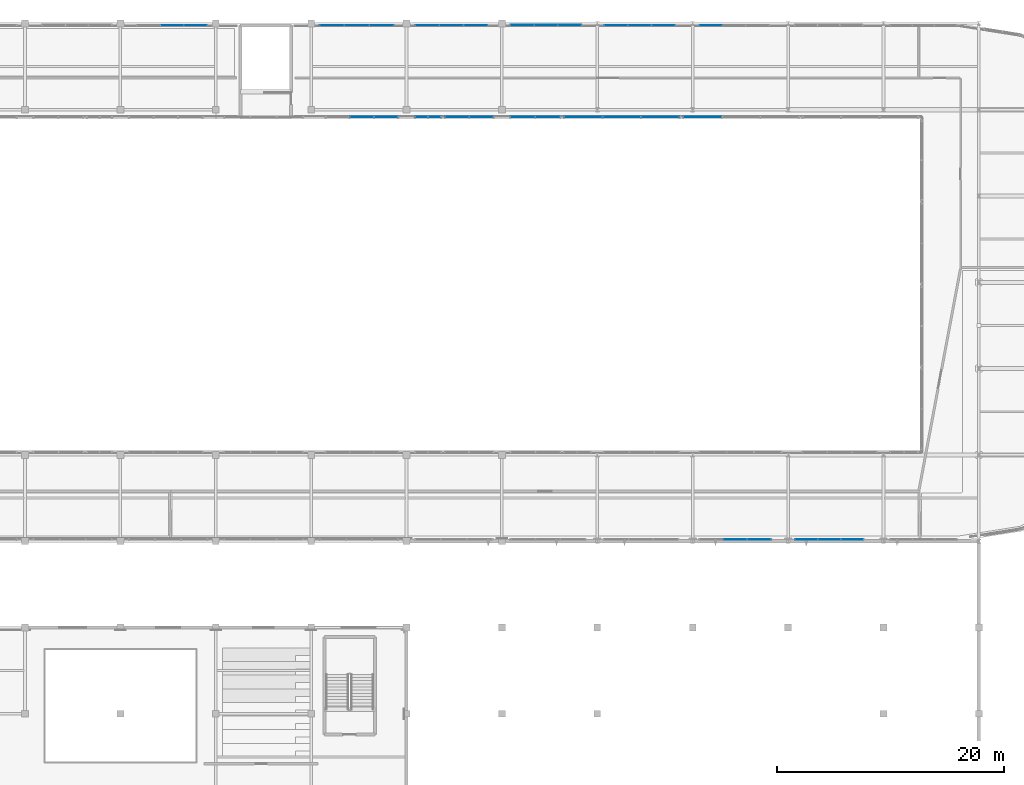
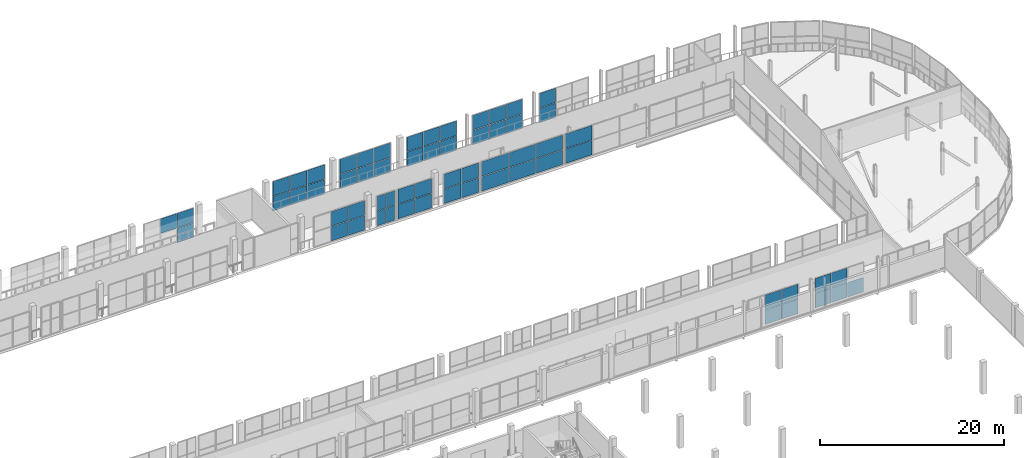
# One storey, part 119 of 151: 62 plates, 14 elements without a shape of their own.
"""IFC4 building model written with IfcOpenShell, lengths in metres."""

from ifc_helpers import new_model, si_unit, direction, frame, origin, origin_2d, place, context, subcontext, project, spatial, rectangle, extrude, material, layer, layer_set, type_object, element, aggregate, save


model = new_model("IFC4")

# Units and contexts
model_context = context("Model", 3, precision=1e-05, world=origin(), true_north=direction((0.0, 1.0)))
body_context = subcontext(model_context, "Body", "Model", "MODEL_VIEW")
ifc_project = project(units=[si_unit("LENGTHUNIT", "METRE"), si_unit("AREAUNIT", "SQUARE_METRE"), si_unit("VOLUMEUNIT", "CUBIC_METRE"), si_unit("PLANEANGLEUNIT", "RADIAN"), si_unit("MASSUNIT", "GRAM", prefix="KILO")], contexts=[model_context])

# Site, building, storey
site_placement = place(None, origin())
site = spatial("IfcSite", under=ifc_project, at=site_placement, CompositionType="ELEMENT")
building_placement = place(site_placement, origin())
building = spatial("IfcBuilding", under=site, at=building_placement, Name="Zuvorla Pavilion Media Centre", CompositionType="ELEMENT")
storey_placement = place(building_placement, frame((0.0, 0.0, 13.800048828125)))
storey = spatial("IfcBuildingStorey", under=building, at=storey_placement, Name="L03", CompositionType="ELEMENT", Elevation=13.800048828125)

# Curtain wall, plates
ifc_material_1 = material(Name="Unitised anodised aluminium and solar glass curtain wall", Category="aluminium")
curtain_wall_type_1 = type_object("IfcCurtainWallType", Name="CW-SYS-61", PredefinedType="USERDEFINED", material=ifc_material_1)
curtain_wall_1_placement = place(storey_placement, origin())
curtain_wall_1 = element("IfcCurtainWall", 1, at=curtain_wall_1_placement, inside=storey, type_object=curtain_wall_type_1, Name="L03 curtain wall CW61 108", ObjectType="CURTAIN WALL", PredefinedType="USERDEFINED")
ifc_material_2 = material(Name="Solar control double glazing", Category="glass")
ifc_layer_1 = layer(ifc_material_2, 0.028076171875)
ifc_layer_set_1 = layer_set([ifc_layer_1], Name="Solar control double glazing")
plate_type_1 = type_object("IfcPlateType", Name="CW-PNL-28", PredefinedType="CURTAIN_PANEL", material=ifc_layer_set_1)
plate_1_placement = place(storey_placement, frame((135.60595703125, 89.43994140625, 0.030029296875), z_axis=(0.0, 0.0, 1.0), x_axis=(-1.0, 0.0, 0.0)))
plate_1 = element("IfcPlate", 2, at=plate_1_placement, type_object=plate_type_1, Name="CW61 panel 3.1", PredefinedType="CURTAIN_PANEL", context=body_context, shape_type="SweptSolid", body=[
    extrude(rectangle(XDim=1.988037109375, YDim=0.028076171875, at=origin_2d()), origin(), (0.0, 0.0, 1.0), 1.919921875),
])
plate_2_placement = place(storey_placement, frame((135.60595703125, 89.43994140625, 2.010009765625), z_axis=(0.0, 0.0, 1.0), x_axis=(-1.0, 0.0, 0.0)))
plate_2 = element("IfcPlate", 3, at=plate_2_placement, type_object=plate_type_1, Name="CW61 panel 3.2", PredefinedType="CURTAIN_PANEL", context=body_context, shape_type="SweptSolid", body=[
    extrude(rectangle(XDim=1.988037109375, YDim=0.028076171875, at=origin_2d()), origin(), (0.0, 0.0, 1.0), 1.919921875),
])
aggregate(curtain_wall_1, [plate_1, plate_2])

curtain_wall_type_2 = type_object("IfcCurtainWallType", Name="CW-SYS-46", PredefinedType="USERDEFINED", material=ifc_material_1)
curtain_wall_2_placement = place(storey_placement, origin())
curtain_wall_2 = element("IfcCurtainWall", 4, at=curtain_wall_2_placement, inside=storey, type_object=curtain_wall_type_2, Name="L03 curtain wall CW46 111", ObjectType="CURTAIN WALL", PredefinedType="USERDEFINED")
plate_3_placement = place(storey_placement, frame((114.885986328125, 89.43994140625, 0.030029296875), z_axis=(0.0, 0.0, 1.0), x_axis=(-1.0, 0.0, 0.0)))
plate_3 = element("IfcPlate", 5, at=plate_3_placement, type_object=plate_type_1, Name="CW46 panel 1.1", PredefinedType="CURTAIN_PANEL", context=body_context, shape_type="SweptSolid", body=[
    extrude(rectangle(XDim=2.07666015625, YDim=0.028076171875, at=origin_2d()), origin(), (0.0, 0.0, 1.0), 1.919921875),
])
plate_4_placement = place(storey_placement, frame((114.885986328125, 89.43994140625, 2.010009765625), z_axis=(0.0, 0.0, 1.0), x_axis=(-1.0, 0.0, 0.0)))
plate_4 = element("IfcPlate", 6, at=plate_4_placement, type_object=plate_type_1, Name="CW46 panel 1.2", PredefinedType="CURTAIN_PANEL", context=body_context, shape_type="SweptSolid", body=[
    extrude(rectangle(XDim=2.07666015625, YDim=0.028076171875, at=origin_2d()), origin(), (0.0, 0.0, 1.0), 1.919921875),
])
plate_5_placement = place(storey_placement, frame((112.749267578125, 89.43994140625, 0.030029296875), z_axis=(0.0, 0.0, 1.0), x_axis=(-1.0, 0.0, 0.0)))
plate_5 = element("IfcPlate", 7, at=plate_5_placement, type_object=plate_type_1, Name="CW46 panel 2.1", PredefinedType="CURTAIN_PANEL", context=body_context, shape_type="SweptSolid", body=[
    extrude(rectangle(XDim=2.07666015625, YDim=0.028076171875, at=origin_2d()), origin(), (0.0, 0.0, 1.0), 1.919921875),
])
plate_6_placement = place(storey_placement, frame((112.749267578125, 89.43994140625, 2.010009765625), z_axis=(0.0, 0.0, 1.0), x_axis=(-1.0, 0.0, 0.0)))
plate_6 = element("IfcPlate", 8, at=plate_6_placement, type_object=plate_type_1, Name="CW46 panel 2.2", PredefinedType="CURTAIN_PANEL", context=body_context, shape_type="SweptSolid", body=[
    extrude(rectangle(XDim=2.07666015625, YDim=0.028076171875, at=origin_2d()), origin(), (0.0, 0.0, 1.0), 1.919921875),
])
plate_7_placement = place(storey_placement, frame((110.612548828125, 89.43994140625, 0.030029296875), z_axis=(0.0, 0.0, 1.0), x_axis=(-1.0, 0.0, 0.0)))
plate_7 = element("IfcPlate", 9, at=plate_7_placement, type_object=plate_type_1, Name="CW46 panel 3.1", PredefinedType="CURTAIN_PANEL", context=body_context, shape_type="SweptSolid", body=[
    extrude(rectangle(XDim=2.07666015625, YDim=0.028076171875, at=origin_2d()), origin(), (0.0, 0.0, 1.0), 1.919921875),
])
plate_8_placement = place(storey_placement, frame((110.612548828125, 89.43994140625, 2.010009765625), z_axis=(0.0, 0.0, 1.0), x_axis=(-1.0, 0.0, 0.0)))
plate_8 = element("IfcPlate", 10, at=plate_8_placement, type_object=plate_type_1, Name="CW46 panel 3.2", PredefinedType="CURTAIN_PANEL", context=body_context, shape_type="SweptSolid", body=[
    extrude(rectangle(XDim=2.07666015625, YDim=0.028076171875, at=origin_2d()), origin(), (0.0, 0.0, 1.0), 1.919921875),
])
aggregate(curtain_wall_2, [plate_3, plate_4, plate_5, plate_6, plate_7, plate_8])

curtain_wall_type_3 = type_object("IfcCurtainWallType", Name="CW-SYS-14", PredefinedType="USERDEFINED", material=ifc_material_1)
curtain_wall_3_placement = place(storey_placement, origin())
curtain_wall_3 = element("IfcCurtainWall", 11, at=curtain_wall_3_placement, inside=storey, type_object=curtain_wall_type_3, Name="L03 curtain wall CW14 146", ObjectType="CURTAIN WALL", PredefinedType="USERDEFINED")
plate_9_placement = place(storey_placement, frame((143.995849609375, 44.159912109375, 0.030029296875), z_axis=(0.0, 0.0, 1.0), x_axis=(1.0, 0.0, 0.0)))
plate_9 = element("IfcPlate", 12, at=plate_9_placement, type_object=plate_type_1, Name="CW14 panel 1.1", PredefinedType="CURTAIN_PANEL", context=body_context, shape_type="SweptSolid", body=[
    extrude(rectangle(XDim=1.9677734375, YDim=0.028076171875, at=origin_2d()), origin(), (0.0, 0.0, 1.0), 1.919921875),
])
plate_10_placement = place(storey_placement, frame((143.995849609375, 44.159912109375, 2.010009765625), z_axis=(0.0, 0.0, 1.0), x_axis=(1.0, 0.0, 0.0)))
plate_10 = element("IfcPlate", 13, at=plate_10_placement, type_object=plate_type_1, Name="CW14 panel 1.2", PredefinedType="CURTAIN_PANEL", context=body_context, shape_type="SweptSolid", body=[
    extrude(rectangle(XDim=1.9677734375, YDim=0.028076171875, at=origin_2d()), origin(), (0.0, 0.0, 1.0), 1.919921875),
])
plate_11_placement = place(storey_placement, frame((146.0234375, 44.159912109375, 0.030029296875), z_axis=(0.0, 0.0, 1.0), x_axis=(1.0, 0.0, 0.0)))
plate_11 = element("IfcPlate", 14, at=plate_11_placement, type_object=plate_type_1, Name="CW14 panel 2.1", PredefinedType="CURTAIN_PANEL", context=body_context, shape_type="SweptSolid", body=[
    extrude(rectangle(XDim=1.9677734375, YDim=0.028076171875, at=origin_2d()), origin(), (0.0, 0.0, 1.0), 1.919921875),
])
plate_12_placement = place(storey_placement, frame((146.0234375, 44.159912109375, 2.010009765625), z_axis=(0.0, 0.0, 1.0), x_axis=(1.0, 0.0, 0.0)))
plate_12 = element("IfcPlate", 15, at=plate_12_placement, type_object=plate_type_1, Name="CW14 panel 2.2", PredefinedType="CURTAIN_PANEL", context=body_context, shape_type="SweptSolid", body=[
    extrude(rectangle(XDim=1.9677734375, YDim=0.028076171875, at=origin_2d()), origin(), (0.0, 0.0, 1.0), 1.919921875),
])
plate_13_placement = place(storey_placement, frame((148.05126953125, 44.159912109375, 0.030029296875), z_axis=(0.0, 0.0, 1.0), x_axis=(1.0, 0.0, 0.0)))
plate_13 = element("IfcPlate", 16, at=plate_13_placement, type_object=plate_type_1, Name="CW14 panel 3.1", PredefinedType="CURTAIN_PANEL", context=body_context, shape_type="SweptSolid", body=[
    extrude(rectangle(XDim=1.9677734375, YDim=0.028076171875, at=origin_2d()), origin(), (0.0, 0.0, 1.0), 1.919921875),
])
aggregate(curtain_wall_3, [plate_9, plate_10, plate_11, plate_12, plate_13])

curtain_wall_type_4 = type_object("IfcCurtainWallType", Name="CW-SYS-83", PredefinedType="USERDEFINED", material=ifc_material_1)
curtain_wall_4_placement = place(storey_placement, origin())
curtain_wall_4 = element("IfcCurtainWall", 17, at=curtain_wall_4_placement, inside=storey, type_object=curtain_wall_type_4, Name="L03 curtain wall CW83 176", ObjectType="CURTAIN WALL", PredefinedType="USERDEFINED")
plate_14_placement = place(storey_placement, frame((121.240966796875, 81.360107421875, 0.030029296875), z_axis=(0.0, 0.0, 1.0), x_axis=(-1.0, 0.0, 0.0)))
plate_14 = element("IfcPlate", 18, at=plate_14_placement, type_object=plate_type_1, Name="CW83 panel 1.1", PredefinedType="CURTAIN_PANEL", context=body_context, shape_type="SweptSolid", body=[
    extrude(rectangle(XDim=2.137939453125, YDim=0.028076171875, at=origin_2d()), origin(), (0.0, 0.0, 1.0), 1.919921875),
])
plate_15_placement = place(storey_placement, frame((121.240966796875, 81.360107421875, 2.010009765625), z_axis=(0.0, 0.0, 1.0), x_axis=(-1.0, 0.0, 0.0)))
plate_15 = element("IfcPlate", 19, at=plate_15_placement, type_object=plate_type_1, Name="CW83 panel 1.2", PredefinedType="CURTAIN_PANEL", context=body_context, shape_type="SweptSolid", body=[
    extrude(rectangle(XDim=2.137939453125, YDim=0.028076171875, at=origin_2d()), origin(), (0.0, 0.0, 1.0), 1.919921875),
])
plate_16_placement = place(storey_placement, frame((119.043212890625, 81.360107421875, 0.030029296875), z_axis=(0.0, 0.0, 1.0), x_axis=(-1.0, 0.0, 0.0)))
plate_16 = element("IfcPlate", 20, at=plate_16_placement, type_object=plate_type_1, Name="CW83 panel 2.1", PredefinedType="CURTAIN_PANEL", context=body_context, shape_type="SweptSolid", body=[
    extrude(rectangle(XDim=2.137939453125, YDim=0.028076171875, at=origin_2d()), origin(), (0.0, 0.0, 1.0), 1.919921875),
])
plate_17_placement = place(storey_placement, frame((119.043212890625, 81.360107421875, 2.010009765625), z_axis=(0.0, 0.0, 1.0), x_axis=(-1.0, 0.0, 0.0)))
plate_17 = element("IfcPlate", 21, at=plate_17_placement, type_object=plate_type_1, Name="CW83 panel 2.2", PredefinedType="CURTAIN_PANEL", context=body_context, shape_type="SweptSolid", body=[
    extrude(rectangle(XDim=2.137939453125, YDim=0.028076171875, at=origin_2d()), origin(), (0.0, 0.0, 1.0), 1.919921875),
])
aggregate(curtain_wall_4, [plate_14, plate_15, plate_16, plate_17])

curtain_wall_type_5 = type_object("IfcCurtainWallType", Name="CW-SYS-51", PredefinedType="USERDEFINED", material=ifc_material_1)
curtain_wall_5_placement = place(storey_placement, origin())
curtain_wall_5 = element("IfcCurtainWall", 22, at=curtain_wall_5_placement, inside=storey, type_object=curtain_wall_type_5, Name="L03 curtain wall CW51 177", ObjectType="CURTAIN WALL", PredefinedType="USERDEFINED")
plate_18_placement = place(storey_placement, frame((115.3818359375, 81.360107421875, 0.030029296875), z_axis=(0.0, 0.0, 1.0), x_axis=(-1.0, 0.0, 0.0)))
plate_18 = element("IfcPlate", 23, at=plate_18_placement, type_object=plate_type_1, Name="CW51 panel 1.1", PredefinedType="CURTAIN_PANEL", context=body_context, shape_type="SweptSolid", body=[
    extrude(rectangle(XDim=2.087890625, YDim=0.028076171875, at=origin_2d()), origin(), (0.0, 0.0, 1.0), 1.919921875),
])
plate_19_placement = place(storey_placement, frame((115.3818359375, 81.360107421875, 2.010009765625), z_axis=(0.0, 0.0, 1.0), x_axis=(-1.0, 0.0, 0.0)))
plate_19 = element("IfcPlate", 24, at=plate_19_placement, type_object=plate_type_1, Name="CW51 panel 1.2", PredefinedType="CURTAIN_PANEL", context=body_context, shape_type="SweptSolid", body=[
    extrude(rectangle(XDim=2.087890625, YDim=0.028076171875, at=origin_2d()), origin(), (0.0, 0.0, 1.0), 1.919921875),
])
plate_20_placement = place(storey_placement, frame((113.23388671875, 81.360107421875, 0.030029296875), z_axis=(0.0, 0.0, 1.0), x_axis=(-1.0, 0.0, 0.0)))
plate_20 = element("IfcPlate", 25, at=plate_20_placement, type_object=plate_type_1, Name="CW51 panel 2.1", PredefinedType="CURTAIN_PANEL", context=body_context, shape_type="SweptSolid", body=[
    extrude(rectangle(XDim=2.087890625, YDim=0.028076171875, at=origin_2d()), origin(), (0.0, 0.0, 1.0), 1.919921875),
])
plate_21_placement = place(storey_placement, frame((113.23388671875, 81.360107421875, 2.010009765625), z_axis=(0.0, 0.0, 1.0), x_axis=(-1.0, 0.0, 0.0)))
plate_21 = element("IfcPlate", 26, at=plate_21_placement, type_object=plate_type_1, Name="CW51 panel 2.2", PredefinedType="CURTAIN_PANEL", context=body_context, shape_type="SweptSolid", body=[
    extrude(rectangle(XDim=2.087890625, YDim=0.028076171875, at=origin_2d()), origin(), (0.0, 0.0, 1.0), 1.919921875),
])
aggregate(curtain_wall_5, [plate_18, plate_19, plate_20, plate_21])

curtain_wall_type_6 = type_object("IfcCurtainWallType", Name="CW-SYS-39", PredefinedType="USERDEFINED", material=ifc_material_1)
curtain_wall_6_placement = place(storey_placement, origin())
curtain_wall_6 = element("IfcCurtainWall", 27, at=curtain_wall_6_placement, inside=storey, type_object=curtain_wall_type_6, Name="L03 curtain wall CW39 109", ObjectType="CURTAIN WALL", PredefinedType="USERDEFINED")
ifc_material_3 = material(Name="Acoustic laminated solar glazing", Category="glass")
ifc_layer_2 = layer(ifc_material_3, 0.033935546875)
ifc_layer_set_2 = layer_set([ifc_layer_2], Name="Acoustic laminated solar glazing")
plate_type_2 = type_object("IfcPlateType", Name="CW-PNL-34", PredefinedType="CURTAIN_PANEL", material=ifc_layer_set_2)
plate_22_placement = place(storey_placement, frame((131.4208984375, 89.43994140625, 0.030029296875), z_axis=(0.0, 0.0, 1.0), x_axis=(-1.0, 0.0, 0.0)))
plate_22 = element("IfcPlate", 28, at=plate_22_placement, type_object=plate_type_2, Name="CW39 panel 1.1", PredefinedType="CURTAIN_PANEL", context=body_context, shape_type="SweptSolid", body=[
    extrude(rectangle(XDim=2.03564453125, YDim=0.033935546875, at=origin_2d()), origin(), (0.0, 0.0, 1.0), 1.919921875),
])
plate_23_placement = place(storey_placement, frame((131.4208984375, 89.43994140625, 2.010009765625), z_axis=(0.0, 0.0, 1.0), x_axis=(-1.0, 0.0, 0.0)))
plate_23 = element("IfcPlate", 29, at=plate_23_placement, type_object=plate_type_2, Name="CW39 panel 1.2", PredefinedType="CURTAIN_PANEL", context=body_context, shape_type="SweptSolid", body=[
    extrude(rectangle(XDim=2.03564453125, YDim=0.033935546875, at=origin_2d()), origin(), (0.0, 0.0, 1.0), 1.919921875),
])
plate_24_placement = place(storey_placement, frame((129.3251953125, 89.43994140625, 0.030029296875), z_axis=(0.0, 0.0, 1.0), x_axis=(-1.0, 0.0, 0.0)))
plate_24 = element("IfcPlate", 30, at=plate_24_placement, type_object=plate_type_2, Name="CW39 panel 2.1", PredefinedType="CURTAIN_PANEL", context=body_context, shape_type="SweptSolid", body=[
    extrude(rectangle(XDim=2.03564453125, YDim=0.033935546875, at=origin_2d()), origin(), (0.0, 0.0, 1.0), 1.919921875),
])
plate_25_placement = place(storey_placement, frame((129.3251953125, 89.43994140625, 2.010009765625), z_axis=(0.0, 0.0, 1.0), x_axis=(-1.0, 0.0, 0.0)))
plate_25 = element("IfcPlate", 31, at=plate_25_placement, type_object=plate_type_2, Name="CW39 panel 2.2", PredefinedType="CURTAIN_PANEL", context=body_context, shape_type="SweptSolid", body=[
    extrude(rectangle(XDim=2.03564453125, YDim=0.033935546875, at=origin_2d()), origin(), (0.0, 0.0, 1.0), 1.919921875),
])
plate_26_placement = place(storey_placement, frame((127.229736328125, 89.43994140625, 0.030029296875), z_axis=(0.0, 0.0, 1.0), x_axis=(-1.0, 0.0, 0.0)))
plate_26 = element("IfcPlate", 32, at=plate_26_placement, type_object=plate_type_2, Name="CW39 panel 3.1", PredefinedType="CURTAIN_PANEL", context=body_context, shape_type="SweptSolid", body=[
    extrude(rectangle(XDim=2.03564453125, YDim=0.033935546875, at=origin_2d()), origin(), (0.0, 0.0, 1.0), 1.919921875),
])
plate_27_placement = place(storey_placement, frame((127.229736328125, 89.43994140625, 2.010009765625), z_axis=(0.0, 0.0, 1.0), x_axis=(-1.0, 0.0, 0.0)))
plate_27 = element("IfcPlate", 33, at=plate_27_placement, type_object=plate_type_2, Name="CW39 panel 3.2", PredefinedType="CURTAIN_PANEL", context=body_context, shape_type="SweptSolid", body=[
    extrude(rectangle(XDim=2.03564453125, YDim=0.033935546875, at=origin_2d()), origin(), (0.0, 0.0, 1.0), 1.919921875),
])
aggregate(curtain_wall_6, [plate_22, plate_23, plate_24, plate_25, plate_26, plate_27])

curtain_wall_type_7 = type_object("IfcCurtainWallType", Name="CW-SYS-63", PredefinedType="USERDEFINED", material=ifc_material_1)
curtain_wall_7_placement = place(storey_placement, origin())
curtain_wall_7 = element("IfcCurtainWall", 34, at=curtain_wall_7_placement, inside=storey, type_object=curtain_wall_type_7, Name="L03 curtain wall CW63 112", ObjectType="CURTAIN WALL", PredefinedType="USERDEFINED")
plate_28_placement = place(storey_placement, frame((106.60498046875, 89.43994140625, 0.030029296875), z_axis=(0.0, 0.0, 1.0), x_axis=(-1.0, 0.0, 0.0)))
plate_28 = element("IfcPlate", 35, at=plate_28_placement, type_object=plate_type_2, Name="CW63 panel 1.1", PredefinedType="CURTAIN_PANEL", context=body_context, shape_type="SweptSolid", body=[
    extrude(rectangle(XDim=2.124267578125, YDim=0.033935546875, at=origin_2d()), origin(), (0.0, 0.0, 1.0), 1.919921875),
])
plate_29_placement = place(storey_placement, frame((106.60498046875, 89.43994140625, 2.010009765625), z_axis=(0.0, 0.0, 1.0), x_axis=(-1.0, 0.0, 0.0)))
plate_29 = element("IfcPlate", 36, at=plate_29_placement, type_object=plate_type_2, Name="CW63 panel 1.2", PredefinedType="CURTAIN_PANEL", context=body_context, shape_type="SweptSolid", body=[
    extrude(rectangle(XDim=2.124267578125, YDim=0.033935546875, at=origin_2d()), origin(), (0.0, 0.0, 1.0), 1.919921875),
])
plate_30_placement = place(storey_placement, frame((104.420654296875, 89.43994140625, 0.030029296875), z_axis=(0.0, 0.0, 1.0), x_axis=(-1.0, 0.0, 0.0)))
plate_30 = element("IfcPlate", 37, at=plate_30_placement, type_object=plate_type_2, Name="CW63 panel 2.1", PredefinedType="CURTAIN_PANEL", context=body_context, shape_type="SweptSolid", body=[
    extrude(rectangle(XDim=2.124267578125, YDim=0.033935546875, at=origin_2d()), origin(), (0.0, 0.0, 1.0), 1.919921875),
])
plate_31_placement = place(storey_placement, frame((104.420654296875, 89.43994140625, 2.010009765625), z_axis=(0.0, 0.0, 1.0), x_axis=(-1.0, 0.0, 0.0)))
plate_31 = element("IfcPlate", 38, at=plate_31_placement, type_object=plate_type_2, Name="CW63 panel 2.2", PredefinedType="CURTAIN_PANEL", context=body_context, shape_type="SweptSolid", body=[
    extrude(rectangle(XDim=2.124267578125, YDim=0.033935546875, at=origin_2d()), origin(), (0.0, 0.0, 1.0), 1.919921875),
])
plate_32_placement = place(storey_placement, frame((102.236328125, 89.43994140625, 0.030029296875), z_axis=(0.0, 0.0, 1.0), x_axis=(-1.0, 0.0, 0.0)))
plate_32 = element("IfcPlate", 39, at=plate_32_placement, type_object=plate_type_2, Name="CW63 panel 3.1", PredefinedType="CURTAIN_PANEL", context=body_context, shape_type="SweptSolid", body=[
    extrude(rectangle(XDim=2.124267578125, YDim=0.033935546875, at=origin_2d()), origin(), (0.0, 0.0, 1.0), 1.919921875),
])
plate_33_placement = place(storey_placement, frame((102.236328125, 89.43994140625, 2.010009765625), z_axis=(0.0, 0.0, 1.0), x_axis=(-1.0, 0.0, 0.0)))
plate_33 = element("IfcPlate", 40, at=plate_33_placement, type_object=plate_type_2, Name="CW63 panel 3.2", PredefinedType="CURTAIN_PANEL", context=body_context, shape_type="SweptSolid", body=[
    extrude(rectangle(XDim=2.124267578125, YDim=0.033935546875, at=origin_2d()), origin(), (0.0, 0.0, 1.0), 1.919921875),
])
aggregate(curtain_wall_7, [plate_28, plate_29, plate_30, plate_31, plate_32, plate_33])

curtain_wall_type_8 = type_object("IfcCurtainWallType", Name="CW-SYS-20", PredefinedType="USERDEFINED", material=ifc_material_1)
curtain_wall_8_placement = place(storey_placement, origin())
curtain_wall_8 = element("IfcCurtainWall", 41, at=curtain_wall_8_placement, inside=storey, type_object=curtain_wall_type_8, Name="L03 curtain wall CW20 113", ObjectType="CURTAIN WALL", PredefinedType="USERDEFINED")
plate_34_placement = place(storey_placement, frame((90.218994140625, 89.43994140625, 0.030029296875), z_axis=(0.0, 0.0, 1.0), x_axis=(-1.0, 0.0, 0.0)))
plate_34 = element("IfcPlate", 42, at=plate_34_placement, type_object=plate_type_2, Name="CW20 panel 1.1", PredefinedType="CURTAIN_PANEL", context=body_context, shape_type="SweptSolid", body=[
    extrude(rectangle(XDim=2.013671875, YDim=0.033935546875, at=origin_2d()), origin(), (0.0, 0.0, 1.0), 1.919921875),
])
plate_35_placement = place(storey_placement, frame((90.218994140625, 89.43994140625, 2.010009765625), z_axis=(0.0, 0.0, 1.0), x_axis=(-1.0, 0.0, 0.0)))
plate_35 = element("IfcPlate", 43, at=plate_35_placement, type_object=plate_type_2, Name="CW20 panel 1.2", PredefinedType="CURTAIN_PANEL", context=body_context, shape_type="SweptSolid", body=[
    extrude(rectangle(XDim=2.013671875, YDim=0.033935546875, at=origin_2d()), origin(), (0.0, 0.0, 1.0), 1.919921875),
])
plate_36_placement = place(storey_placement, frame((88.145263671875, 89.43994140625, 2.010009765625), z_axis=(0.0, 0.0, 1.0), x_axis=(-1.0, 0.0, 0.0)))
plate_36 = element("IfcPlate", 44, at=plate_36_placement, type_object=plate_type_2, Name="CW20 panel 2.2", PredefinedType="CURTAIN_PANEL", context=body_context, shape_type="SweptSolid", body=[
    extrude(rectangle(XDim=2.013671875, YDim=0.033935546875, at=origin_2d()), origin(), (0.0, 0.0, 1.0), 1.919921875),
])
aggregate(curtain_wall_8, [plate_34, plate_35, plate_36])

curtain_wall_type_9 = type_object("IfcCurtainWallType", Name="CW-SYS-30", PredefinedType="USERDEFINED", material=ifc_material_1)
curtain_wall_9_placement = place(storey_placement, origin())
curtain_wall_9 = element("IfcCurtainWall", 45, at=curtain_wall_9_placement, inside=storey, type_object=curtain_wall_type_9, Name="L03 curtain wall CW30 180", ObjectType="CURTAIN WALL", PredefinedType="USERDEFINED")
plate_37_placement = place(storey_placement, frame((131.143310546875, 81.360107421875, 0.030029296875), z_axis=(0.0, 0.0, 1.0), x_axis=(-1.0, 0.0, 0.0)))
plate_37 = element("IfcPlate", 46, at=plate_37_placement, type_object=plate_type_2, Name="CW30 panel 1.1", PredefinedType="CURTAIN_PANEL", context=body_context, shape_type="SweptSolid", body=[
    extrude(rectangle(XDim=3.333251953125, YDim=0.033935546875, at=origin_2d()), origin(), (0.0, 0.0, 1.0), 1.919921875),
])
plate_38_placement = place(storey_placement, frame((131.143310546875, 81.360107421875, 2.010009765625), z_axis=(0.0, 0.0, 1.0), x_axis=(-1.0, 0.0, 0.0)))
plate_38 = element("IfcPlate", 47, at=plate_38_placement, type_object=plate_type_2, Name="CW30 panel 1.2", PredefinedType="CURTAIN_PANEL", context=body_context, shape_type="SweptSolid", body=[
    extrude(rectangle(XDim=3.333251953125, YDim=0.033935546875, at=origin_2d()), origin(), (0.0, 0.0, 1.0), 1.919921875),
])
plate_39_placement = place(storey_placement, frame((127.75, 81.360107421875, 0.030029296875), z_axis=(0.0, 0.0, 1.0), x_axis=(-1.0, 0.0, 0.0)))
plate_39 = element("IfcPlate", 48, at=plate_39_placement, type_object=plate_type_2, Name="CW30 panel 2.1", PredefinedType="CURTAIN_PANEL", context=body_context, shape_type="SweptSolid", body=[
    extrude(rectangle(XDim=3.333251953125, YDim=0.033935546875, at=origin_2d()), origin(), (0.0, 0.0, 1.0), 1.919921875),
])
plate_40_placement = place(storey_placement, frame((127.75, 81.360107421875, 2.010009765625), z_axis=(0.0, 0.0, 1.0), x_axis=(-1.0, 0.0, 0.0)))
plate_40 = element("IfcPlate", 49, at=plate_40_placement, type_object=plate_type_2, Name="CW30 panel 2.2", PredefinedType="CURTAIN_PANEL", context=body_context, shape_type="SweptSolid", body=[
    extrude(rectangle(XDim=3.333251953125, YDim=0.033935546875, at=origin_2d()), origin(), (0.0, 0.0, 1.0), 1.919921875),
])
plate_41_placement = place(storey_placement, frame((124.356689453125, 81.360107421875, 0.030029296875), z_axis=(0.0, 0.0, 1.0), x_axis=(-1.0, 0.0, 0.0)))
plate_41 = element("IfcPlate", 50, at=plate_41_placement, type_object=plate_type_2, Name="CW30 panel 3.1", PredefinedType="CURTAIN_PANEL", context=body_context, shape_type="SweptSolid", body=[
    extrude(rectangle(XDim=3.333251953125, YDim=0.033935546875, at=origin_2d()), origin(), (0.0, 0.0, 1.0), 1.919921875),
])
plate_42_placement = place(storey_placement, frame((124.356689453125, 81.360107421875, 2.010009765625), z_axis=(0.0, 0.0, 1.0), x_axis=(-1.0, 0.0, 0.0)))
plate_42 = element("IfcPlate", 51, at=plate_42_placement, type_object=plate_type_2, Name="CW30 panel 3.2", PredefinedType="CURTAIN_PANEL", context=body_context, shape_type="SweptSolid", body=[
    extrude(rectangle(XDim=3.333251953125, YDim=0.033935546875, at=origin_2d()), origin(), (0.0, 0.0, 1.0), 1.919921875),
])
aggregate(curtain_wall_9, [plate_37, plate_38, plate_39, plate_40, plate_41, plate_42])

curtain_wall_type_10 = type_object("IfcCurtainWallType", Name="CW-SYS-62", PredefinedType="USERDEFINED", material=ifc_material_1)
curtain_wall_10_placement = place(storey_placement, origin())
curtain_wall_10 = element("IfcCurtainWall", 52, at=curtain_wall_10_placement, inside=storey, type_object=curtain_wall_type_10, Name="L03 curtain wall CW62 110", ObjectType="CURTAIN WALL", PredefinedType="USERDEFINED")
ifc_material_4 = material(Name="Triple acoustic broadcast glazing", Category="glass")
ifc_layer_3 = layer(ifc_material_4, 0.0419921875)
ifc_layer_set_3 = layer_set([ifc_layer_3], Name="Triple acoustic broadcast glazing")
plate_type_3 = type_object("IfcPlateType", Name="CW-PNL-42", PredefinedType="CURTAIN_PANEL", material=ifc_layer_set_3)
plate_43_placement = place(storey_placement, frame((123.1669921875, 89.43994140625, 0.030029296875), z_axis=(0.0, 0.0, 1.0), x_axis=(-1.0, 0.0, 0.0)))
plate_43 = element("IfcPlate", 53, at=plate_43_placement, type_object=plate_type_3, Name="CW62 panel 1.1", PredefinedType="CURTAIN_PANEL", context=body_context, shape_type="SweptSolid", body=[
    extrude(rectangle(XDim=2.029052734375, YDim=0.0419921875, at=origin_2d()), origin(), (0.0, 0.0, 1.0), 1.919921875),
])
plate_44_placement = place(storey_placement, frame((123.1669921875, 89.43994140625, 2.010009765625), z_axis=(0.0, 0.0, 1.0), x_axis=(-1.0, 0.0, 0.0)))
plate_44 = element("IfcPlate", 54, at=plate_44_placement, type_object=plate_type_3, Name="CW62 panel 1.2", PredefinedType="CURTAIN_PANEL", context=body_context, shape_type="SweptSolid", body=[
    extrude(rectangle(XDim=2.029052734375, YDim=0.0419921875, at=origin_2d()), origin(), (0.0, 0.0, 1.0), 1.919921875),
])
plate_45_placement = place(storey_placement, frame((121.077880859375, 89.43994140625, 0.030029296875), z_axis=(0.0, 0.0, 1.0), x_axis=(-1.0, 0.0, 0.0)))
plate_45 = element("IfcPlate", 55, at=plate_45_placement, type_object=plate_type_3, Name="CW62 panel 2.1", PredefinedType="CURTAIN_PANEL", context=body_context, shape_type="SweptSolid", body=[
    extrude(rectangle(XDim=2.029052734375, YDim=0.0419921875, at=origin_2d()), origin(), (0.0, 0.0, 1.0), 1.919921875),
])
plate_46_placement = place(storey_placement, frame((121.077880859375, 89.43994140625, 2.010009765625), z_axis=(0.0, 0.0, 1.0), x_axis=(-1.0, 0.0, 0.0)))
plate_46 = element("IfcPlate", 56, at=plate_46_placement, type_object=plate_type_3, Name="CW62 panel 2.2", PredefinedType="CURTAIN_PANEL", context=body_context, shape_type="SweptSolid", body=[
    extrude(rectangle(XDim=2.029052734375, YDim=0.0419921875, at=origin_2d()), origin(), (0.0, 0.0, 1.0), 1.919921875),
])
plate_47_placement = place(storey_placement, frame((118.98876953125, 89.43994140625, 0.030029296875), z_axis=(0.0, 0.0, 1.0), x_axis=(-1.0, 0.0, 0.0)))
plate_47 = element("IfcPlate", 57, at=plate_47_placement, type_object=plate_type_3, Name="CW62 panel 3.1", PredefinedType="CURTAIN_PANEL", context=body_context, shape_type="SweptSolid", body=[
    extrude(rectangle(XDim=2.029052734375, YDim=0.0419921875, at=origin_2d()), origin(), (0.0, 0.0, 1.0), 1.919921875),
])
plate_48_placement = place(storey_placement, frame((118.98876953125, 89.43994140625, 2.010009765625), z_axis=(0.0, 0.0, 1.0), x_axis=(-1.0, 0.0, 0.0)))
plate_48 = element("IfcPlate", 58, at=plate_48_placement, type_object=plate_type_3, Name="CW62 panel 3.2", PredefinedType="CURTAIN_PANEL", context=body_context, shape_type="SweptSolid", body=[
    extrude(rectangle(XDim=2.029052734375, YDim=0.0419921875, at=origin_2d()), origin(), (0.0, 0.0, 1.0), 1.919921875),
])
aggregate(curtain_wall_10, [plate_43, plate_44, plate_45, plate_46, plate_47, plate_48])

curtain_wall_type_11 = type_object("IfcCurtainWallType", Name="CW-SYS-12", PredefinedType="USERDEFINED", material=ifc_material_1)
curtain_wall_11_placement = place(storey_placement, origin())
curtain_wall_11 = element("IfcCurtainWall", 59, at=curtain_wall_11_placement, inside=storey, type_object=curtain_wall_type_11, Name="L03 curtain wall CW12 145", ObjectType="CURTAIN WALL", PredefinedType="USERDEFINED")
plate_49_placement = place(storey_placement, frame((137.73583984375, 44.159912109375, 0.030029296875), z_axis=(0.0, 0.0, 1.0), x_axis=(1.0, 0.0, 0.0)))
plate_49 = element("IfcPlate", 60, at=plate_49_placement, type_object=plate_type_3, Name="CW12 panel 2.1", PredefinedType="CURTAIN_PANEL", context=body_context, shape_type="SweptSolid", body=[
    extrude(rectangle(XDim=2.042724609375, YDim=0.0419921875, at=origin_2d()), origin(), (0.0, 0.0, 1.0), 1.919921875),
])
plate_50_placement = place(storey_placement, frame((137.73583984375, 44.159912109375, 2.010009765625), z_axis=(0.0, 0.0, 1.0), x_axis=(1.0, 0.0, 0.0)))
plate_50 = element("IfcPlate", 61, at=plate_50_placement, type_object=plate_type_3, Name="CW12 panel 2.2", PredefinedType="CURTAIN_PANEL", context=body_context, shape_type="SweptSolid", body=[
    extrude(rectangle(XDim=2.042724609375, YDim=0.0419921875, at=origin_2d()), origin(), (0.0, 0.0, 1.0), 1.919921875),
])
plate_51_placement = place(storey_placement, frame((139.838623046875, 44.159912109375, 0.030029296875), z_axis=(0.0, 0.0, 1.0), x_axis=(1.0, 0.0, 0.0)))
plate_51 = element("IfcPlate", 62, at=plate_51_placement, type_object=plate_type_3, Name="CW12 panel 3.1", PredefinedType="CURTAIN_PANEL", context=body_context, shape_type="SweptSolid", body=[
    extrude(rectangle(XDim=2.042724609375, YDim=0.0419921875, at=origin_2d()), origin(), (0.0, 0.0, 1.0), 1.919921875),
])
plate_52_placement = place(storey_placement, frame((139.838623046875, 44.159912109375, 2.010009765625), z_axis=(0.0, 0.0, 1.0), x_axis=(1.0, 0.0, 0.0)))
plate_52 = element("IfcPlate", 63, at=plate_52_placement, type_object=plate_type_3, Name="CW12 panel 3.2", PredefinedType="CURTAIN_PANEL", context=body_context, shape_type="SweptSolid", body=[
    extrude(rectangle(XDim=2.042724609375, YDim=0.0419921875, at=origin_2d()), origin(), (0.0, 0.0, 1.0), 1.919921875),
])
aggregate(curtain_wall_11, [plate_49, plate_50, plate_51, plate_52])

curtain_wall_type_12 = type_object("IfcCurtainWallType", Name="CW-SYS-82", PredefinedType="USERDEFINED", material=ifc_material_1)
curtain_wall_12_placement = place(storey_placement, origin())
curtain_wall_12 = element("IfcCurtainWall", 64, at=curtain_wall_12_placement, inside=storey, type_object=curtain_wall_type_12, Name="L03 curtain wall CW82 172", ObjectType="CURTAIN WALL", PredefinedType="USERDEFINED")
plate_53_placement = place(storey_placement, frame((111.26611328125, 81.360107421875, 0.030029296875), z_axis=(0.0, 0.0, 1.0), x_axis=(-1.0, 0.0, 0.0)))
plate_53 = element("IfcPlate", 65, at=plate_53_placement, type_object=plate_type_3, Name="CW82 panel 1.1", PredefinedType="CURTAIN_PANEL", context=body_context, shape_type="SweptSolid", body=[
    extrude(rectangle(XDim=1.087890625, YDim=0.0419921875, at=origin_2d()), origin(), (0.0, 0.0, 1.0), 1.919921875),
])
plate_54_placement = place(storey_placement, frame((111.26611328125, 81.360107421875, 2.010009765625), z_axis=(0.0, 0.0, 1.0), x_axis=(-1.0, 0.0, 0.0)))
plate_54 = element("IfcPlate", 66, at=plate_54_placement, type_object=plate_type_3, Name="CW82 panel 1.2", PredefinedType="CURTAIN_PANEL", context=body_context, shape_type="SweptSolid", body=[
    extrude(rectangle(XDim=1.087890625, YDim=0.0419921875, at=origin_2d()), origin(), (0.0, 0.0, 1.0), 1.919921875),
])
plate_55_placement = place(storey_placement, frame((110.1181640625, 81.360107421875, 0.030029296875), z_axis=(0.0, 0.0, 1.0), x_axis=(-1.0, 0.0, 0.0)))
plate_55 = element("IfcPlate", 67, at=plate_55_placement, type_object=plate_type_3, Name="CW82 panel 2.1", PredefinedType="CURTAIN_PANEL", context=body_context, shape_type="SweptSolid", body=[
    extrude(rectangle(XDim=1.087890625, YDim=0.0419921875, at=origin_2d()), origin(), (0.0, 0.0, 1.0), 1.919921875),
])
plate_56_placement = place(storey_placement, frame((110.1181640625, 81.360107421875, 2.010009765625), z_axis=(0.0, 0.0, 1.0), x_axis=(-1.0, 0.0, 0.0)))
plate_56 = element("IfcPlate", 68, at=plate_56_placement, type_object=plate_type_3, Name="CW82 panel 2.2", PredefinedType="CURTAIN_PANEL", context=body_context, shape_type="SweptSolid", body=[
    extrude(rectangle(XDim=1.087890625, YDim=0.0419921875, at=origin_2d()), origin(), (0.0, 0.0, 1.0), 1.919921875),
])
aggregate(curtain_wall_12, [plate_53, plate_54, plate_55, plate_56])

curtain_wall_type_13 = type_object("IfcCurtainWallType", Name="CW-SYS-45", PredefinedType="USERDEFINED", material=ifc_material_1)
curtain_wall_13_placement = place(storey_placement, origin())
curtain_wall_13 = element("IfcCurtainWall", 69, at=curtain_wall_13_placement, inside=storey, type_object=curtain_wall_type_13, Name="L03 curtain wall CW45 173", ObjectType="CURTAIN WALL", PredefinedType="USERDEFINED")
plate_57_placement = place(storey_placement, frame((106.98974609375, 81.360107421875, 0.030029296875), z_axis=(0.0, 0.0, 1.0), x_axis=(-1.0, 0.0, 0.0)))
plate_57 = element("IfcPlate", 70, at=plate_57_placement, type_object=plate_type_3, Name="CW45 panel 1.1", PredefinedType="CURTAIN_PANEL", context=body_context, shape_type="SweptSolid", body=[
    extrude(rectangle(XDim=2.072021484375, YDim=0.0419921875, at=origin_2d()), origin(), (0.0, 0.0, 1.0), 1.919921875),
])
plate_58_placement = place(storey_placement, frame((106.98974609375, 81.360107421875, 2.010009765625), z_axis=(0.0, 0.0, 1.0), x_axis=(-1.0, 0.0, 0.0)))
plate_58 = element("IfcPlate", 71, at=plate_58_placement, type_object=plate_type_3, Name="CW45 panel 1.2", PredefinedType="CURTAIN_PANEL", context=body_context, shape_type="SweptSolid", body=[
    extrude(rectangle(XDim=2.072021484375, YDim=0.0419921875, at=origin_2d()), origin(), (0.0, 0.0, 1.0), 1.919921875),
])
plate_59_placement = place(storey_placement, frame((104.85791015625, 81.360107421875, 0.030029296875), z_axis=(0.0, 0.0, 1.0), x_axis=(-1.0, 0.0, 0.0)))
plate_59 = element("IfcPlate", 72, at=plate_59_placement, type_object=plate_type_3, Name="CW45 panel 2.1", PredefinedType="CURTAIN_PANEL", context=body_context, shape_type="SweptSolid", body=[
    extrude(rectangle(XDim=2.072021484375, YDim=0.0419921875, at=origin_2d()), origin(), (0.0, 0.0, 1.0), 1.919921875),
])
plate_60_placement = place(storey_placement, frame((104.85791015625, 81.360107421875, 2.010009765625), z_axis=(0.0, 0.0, 1.0), x_axis=(-1.0, 0.0, 0.0)))
plate_60 = element("IfcPlate", 73, at=plate_60_placement, type_object=plate_type_3, Name="CW45 panel 2.2", PredefinedType="CURTAIN_PANEL", context=body_context, shape_type="SweptSolid", body=[
    extrude(rectangle(XDim=2.072021484375, YDim=0.0419921875, at=origin_2d()), origin(), (0.0, 0.0, 1.0), 1.919921875),
])
aggregate(curtain_wall_13, [plate_57, plate_58, plate_59, plate_60])

curtain_wall_type_14 = type_object("IfcCurtainWallType", Name="CW-SYS-33", PredefinedType="USERDEFINED", material=ifc_material_1)
curtain_wall_14_placement = place(storey_placement, origin())
curtain_wall_14 = element("IfcCurtainWall", 74, at=curtain_wall_14_placement, inside=storey, type_object=curtain_wall_type_14, Name="L03 curtain wall CW33 182", ObjectType="CURTAIN WALL", PredefinedType="USERDEFINED")
plate_61_placement = place(storey_placement, frame((134.856689453125, 81.360107421875, 0.030029296875), z_axis=(0.0, 0.0, 1.0), x_axis=(-1.0, 0.0, 0.0)))
plate_61 = element("IfcPlate", 75, at=plate_61_placement, type_object=plate_type_3, Name="CW33 panel 3.1", PredefinedType="CURTAIN_PANEL", context=body_context, shape_type="SweptSolid", body=[
    extrude(rectangle(XDim=3.333251953125, YDim=0.0419921875, at=origin_2d()), origin(), (0.0, 0.0, 1.0), 1.919921875),
])
plate_62_placement = place(storey_placement, frame((134.856689453125, 81.360107421875, 2.010009765625), z_axis=(0.0, 0.0, 1.0), x_axis=(-1.0, 0.0, 0.0)))
plate_62 = element("IfcPlate", 76, at=plate_62_placement, type_object=plate_type_3, Name="CW33 panel 3.2", PredefinedType="CURTAIN_PANEL", context=body_context, shape_type="SweptSolid", body=[
    extrude(rectangle(XDim=3.333251953125, YDim=0.0419921875, at=origin_2d()), origin(), (0.0, 0.0, 1.0), 1.919921875),
])
aggregate(curtain_wall_14, [plate_61, plate_62])

save(model, "model.ifc")
